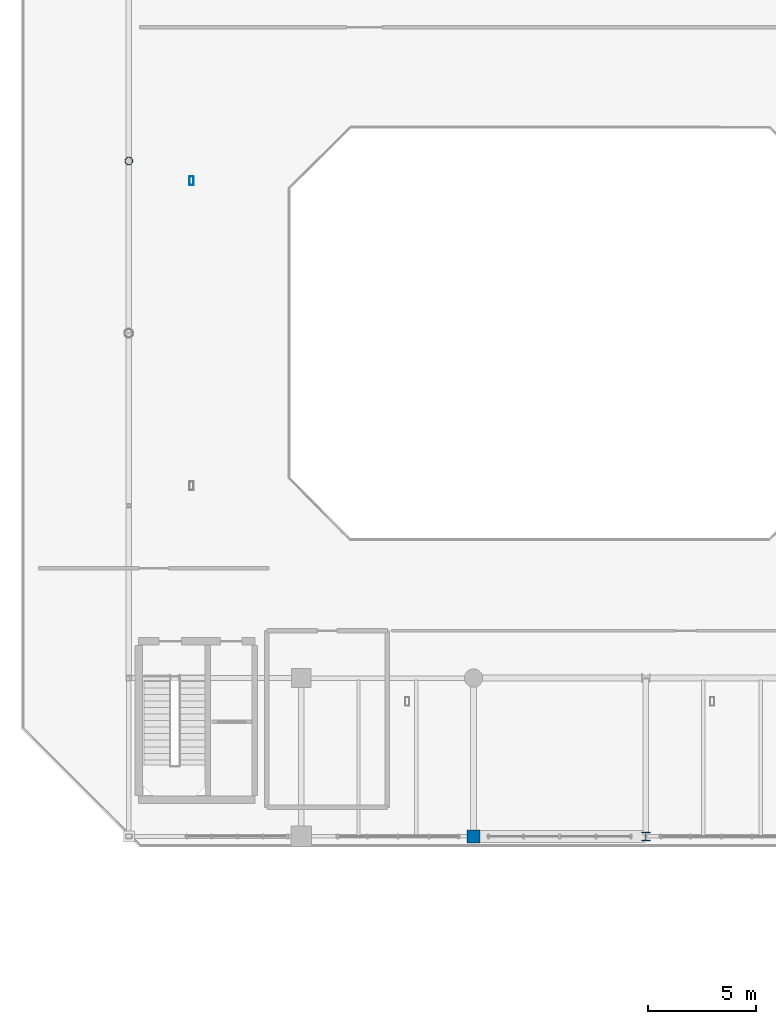
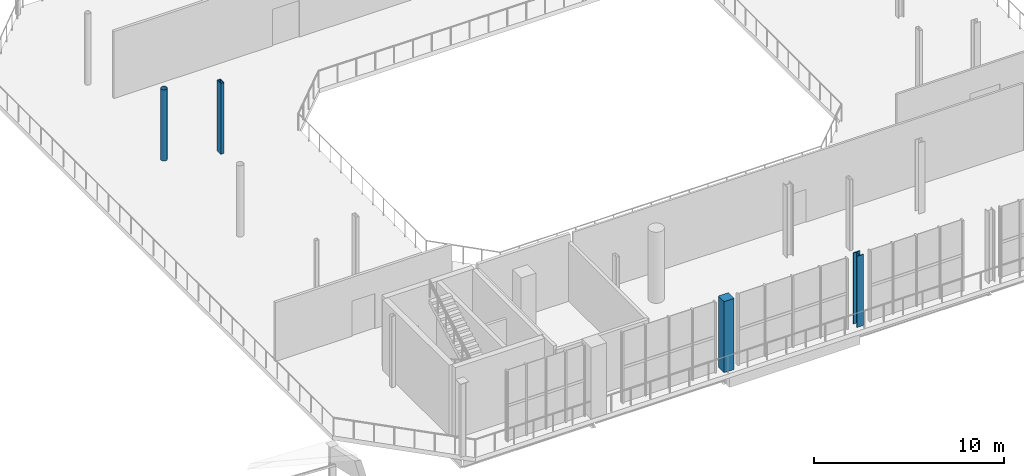
# One storey, part 4 of 51: 4 columns.
"""IFC4 building model written with IfcOpenShell, lengths in metres."""

from ifc_helpers import new_model, si_unit, direction, frame, origin, origin_2d, place, context, subcontext, project, spatial, rectangle, hollow_rectangle, hollow_circle, i_section, extrude, material, material_profile, profile_set, type_object, element, save


model = new_model("IFC4")

# Units and contexts
model_context = context("Model", 3, precision=1e-05, world=origin(), true_north=direction((0.0, 1.0)))
body_context = subcontext(model_context, "Body", "Model", "MODEL_VIEW")
ifc_project = project(units=[si_unit("LENGTHUNIT", "METRE"), si_unit("AREAUNIT", "SQUARE_METRE"), si_unit("VOLUMEUNIT", "CUBIC_METRE"), si_unit("PLANEANGLEUNIT", "RADIAN"), si_unit("MASSUNIT", "GRAM", prefix="KILO")], contexts=[model_context])

# Site, building, storey
site_placement = place(None, origin())
site = spatial("IfcSite", under=ifc_project, at=site_placement, CompositionType="ELEMENT")
building_placement = place(site_placement, origin())
building = spatial("IfcBuilding", under=site, at=building_placement, Name="Brisemont Oceanarium", CompositionType="ELEMENT")
storey_placement = place(building_placement, frame((0.0, 0.0, 15.0)))
storey = spatial("IfcBuildingStorey", under=building, at=storey_placement, Name="L03", CompositionType="ELEMENT", Elevation=15.0)

# Columns
ifc_material_1 = material(Name="Structural Steel ASTM A500 Gr.C", Category="steel")
ifc_material_profile_1 = material_profile(ifc_material_1, hollow_circle(Radius=0.177978515625, WallThickness=0.01171875, at=origin_2d()), Name="HSS14.000X0.500")
ifc_profile_set_1 = profile_set([ifc_material_profile_1], Name="Structural Steel ASTM A500 Gr.C")
column_type_1 = type_object("IfcColumnType", Name="COL-CHS14", PredefinedType="COLUMN", material=ifc_profile_set_1)
column_1_placement = place(storey_placement, frame((64.0, 64.0, 0.0), z_axis=(0.0, 0.0, 1.0), x_axis=(0.0, 1.0, 0.0)))
element("IfcColumn", 1, at=column_1_placement, inside=storey, type_object=column_type_1, Name="V1 L03 column (1,4)", PredefinedType="COLUMN", context=body_context, shape_type="SweptSolid", body=[
    extrude(hollow_circle(Radius=0.177978515625, WallThickness=0.01171875, at=origin_2d()), origin(), (0.0, 0.0, 1.0), 4.56005859375),
])
ifc_material_2 = material(Name="Structural Steel ASTM A500 Gr.C", Category="steel")
ifc_material_profile_2 = material_profile(ifc_material_2, hollow_rectangle(XDim=0.202880859375, YDim=0.406005859375, WallThickness=0.01171875, InnerFilletRadius=0.01220703125, OuterFilletRadius=0.02392578125, at=origin_2d()), Name="HSS16X8X1/2")
ifc_profile_set_2 = profile_set([ifc_material_profile_2], Name="Structural Steel ASTM A500 Gr.C")
column_type_2 = type_object("IfcColumnType", Name="COL-HSS16X8", PredefinedType="COLUMN", material=ifc_profile_set_2)
column_2_placement = place(storey_placement, frame((66.908203125, 63.07958984375, 0.0), z_axis=(0.0, 0.0, 1.0), x_axis=(1.0, 0.0, 0.0)))
element("IfcColumn", 2, at=column_2_placement, inside=storey, type_object=column_type_2, Name="V1 dome drum pier L03.4", PredefinedType="COLUMN", context=body_context, shape_type="SweptSolid", body=[
    extrude(hollow_rectangle(XDim=0.202880859375, YDim=0.406005859375, WallThickness=0.01171875, InnerFilletRadius=0.01220703125, OuterFilletRadius=0.02392578125, at=origin_2d()), origin(), (0.0, 0.0, 1.0), 4.5400390625),
])
ifc_material_3 = material(Name="Concrete C35/45", Category="concrete")
ifc_material_profile_3 = material_profile(ifc_material_3, rectangle(XDim=0.60009765625, YDim=0.60009765625, at=origin_2d()), Name="RC-COL-600X600")
ifc_profile_set_3 = profile_set([ifc_material_profile_3], Name="Concrete C35/45")
column_type_3 = type_object("IfcColumnType", Name="COL-RC600", PredefinedType="COLUMN", material=ifc_profile_set_3)
column_3_placement = place(storey_placement, frame((80.0, 32.64990234375, 0.0), z_axis=(0.0, 0.0, 1.0), x_axis=(0.0, 1.0, 0.0)))
element("IfcColumn", 3, at=column_3_placement, inside=storey, type_object=column_type_3, Name="V1 L03 column (3,0)", PredefinedType="COLUMN", context=body_context, shape_type="SweptSolid", body=[
    extrude(rectangle(XDim=0.60009765625, YDim=0.60009765625, at=origin_2d()), origin(), (0.0, 0.0, 1.0), 4.56005859375),
])
ifc_material_4 = material(Name="Structural Steel ASTM A992 Gr.50", Category="steel")
ifc_material_profile_4 = material_profile(ifc_material_4, i_section(OverallWidth=0.404052734375, OverallDepth=0.406982421875, WebThickness=0.027099609375, FlangeThickness=0.043701171875, FilletRadius=0.014892578125, at=origin_2d()), Name="W14X233")
ifc_profile_set_4 = profile_set([ifc_material_profile_4], Name="Structural Steel ASTM A992 Gr.50")
column_type_4 = type_object("IfcColumnType", Name="COL-W14X233", PredefinedType="COLUMN", material=ifc_profile_set_4)
column_4_placement = place(storey_placement, frame((88.0, 32.64990234375, 0.0), z_axis=(0.0, 0.0, 1.0), x_axis=(1.0, 0.0, 0.0)))
element("IfcColumn", 4, at=column_4_placement, inside=storey, type_object=column_type_4, Name="V1 L03 column (4,0)", PredefinedType="COLUMN", context=body_context, shape_type="SweptSolid", body=[
    extrude(i_section(OverallWidth=0.404052734375, OverallDepth=0.406982421875, WebThickness=0.027099609375, FlangeThickness=0.043701171875, FilletRadius=0.014892578125, at=origin_2d()), origin(), (0.0, 0.0, 1.0), 4.56005859375),
])

save(model, "model.ifc")
